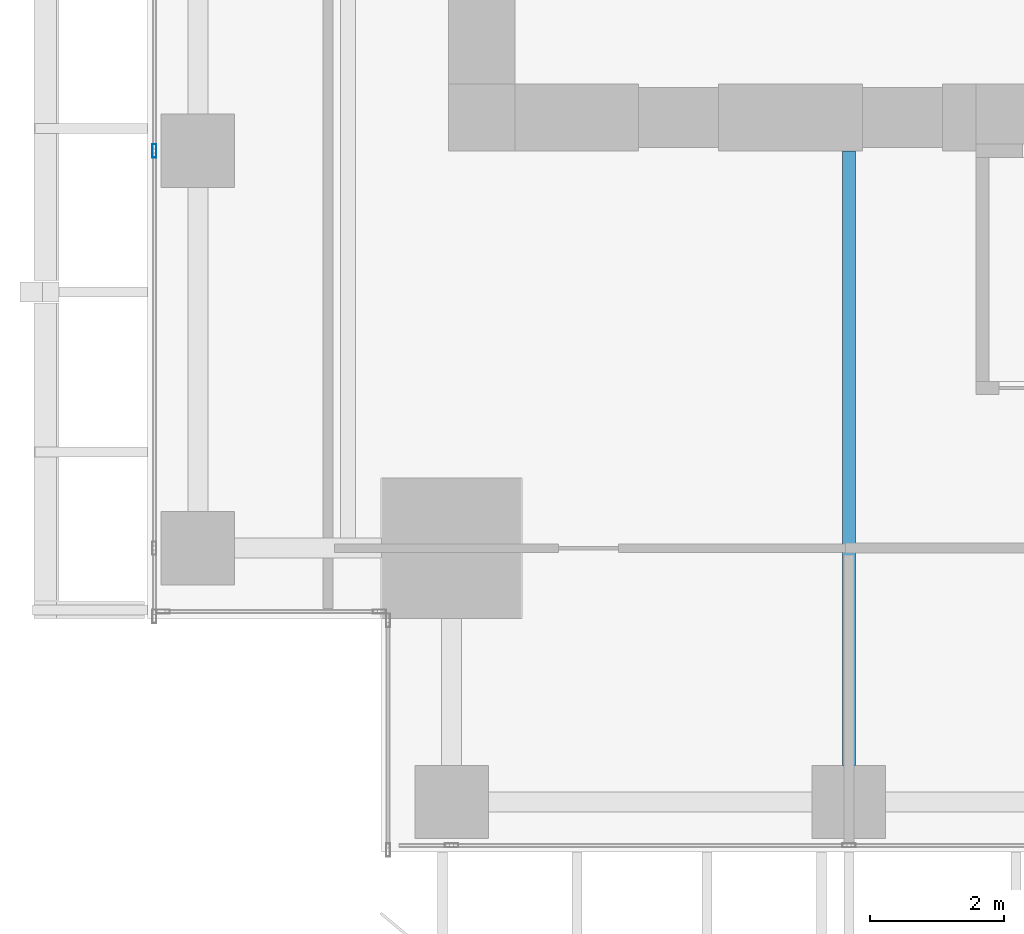
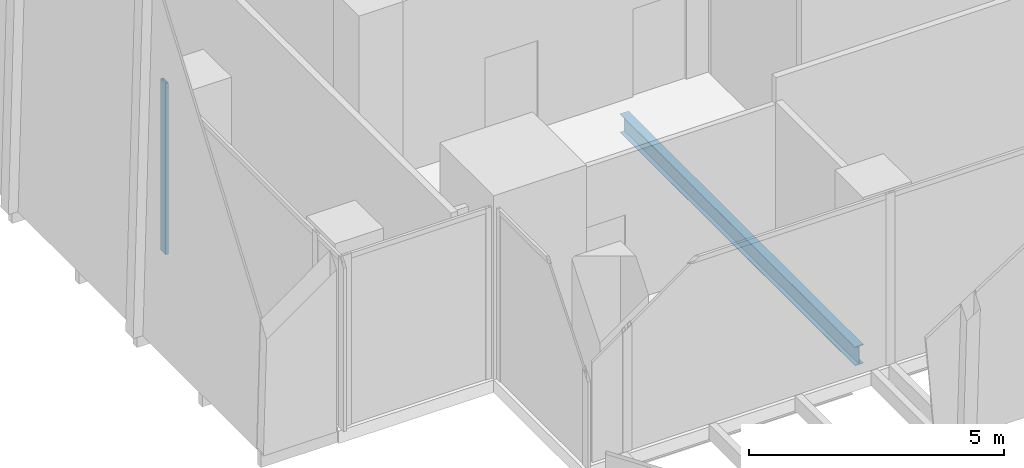
# One storey, part 4 of 36: 1 beam, 1 member, 1 element without a shape of its own.
"""IFC4 building model written with IfcOpenShell, lengths in metres."""

from ifc_helpers import new_model, si_unit, direction, frame, origin, origin_2d, place, context, subcontext, project, spatial, hollow_rectangle, i_section, extrude, source, transform, mapped, material, material_profile, profile_set, type_object, element, aggregate, save


model = new_model("IFC4")

# Units and contexts
model_context = context("Model", 3, precision=1e-05, world=origin(), true_north=direction((0.0, 1.0)))
body_context = subcontext(model_context, "Body", "Model", "MODEL_VIEW")
ifc_project = project(units=[si_unit("LENGTHUNIT", "METRE"), si_unit("AREAUNIT", "SQUARE_METRE"), si_unit("VOLUMEUNIT", "CUBIC_METRE"), si_unit("PLANEANGLEUNIT", "RADIAN"), si_unit("MASSUNIT", "GRAM", prefix="KILO")], contexts=[model_context])

# Site, building, storey
site_placement = place(None, origin())
site = spatial("IfcSite", under=ifc_project, at=site_placement, CompositionType="ELEMENT")
building_placement = place(site_placement, origin())
building = spatial("IfcBuilding", under=site, at=building_placement, Name="Khomas Fold Tower", CompositionType="ELEMENT")
storey_placement = place(building_placement, frame((0.0, 0.0, 141.10009765625)))
storey = spatial("IfcBuildingStorey", under=building, at=storey_placement, Name="L30", CompositionType="ELEMENT", Elevation=141.10009765625)

# Beam
ifc_material_1 = material(Name="Steel S355", Category="steel")
ifc_material_profile_1 = material_profile(ifc_material_1, i_section(OverallWidth=0.18994140625, OverallDepth=0.449951171875, WebThickness=0.009521484375, FlangeThickness=0.0146484375, at=origin_2d()), Name="IPE 450")
ifc_profile_set_1 = profile_set([ifc_material_profile_1], Name="Steel S355")
beam_type = type_object("IfcBeamType", Name="IPE 450 beam JB4", PredefinedType="BEAM", material=ifc_profile_set_1)
shared_shape_1 = source(origin(), body_context, "Body", "SweptSolid", [
    extrude(i_section(OverallWidth=0.18994140625, OverallDepth=0.449951171875, WebThickness=0.009521484375, FlangeThickness=0.0146484375, at=origin_2d()), origin(), (0.0, 0.0, 1.0), 9.199951171875),
])
beam_placement = place(storey_placement, frame((12.0, 2.800048828125, -0.525146484375), z_axis=(0.0, 1.0, 0.0), x_axis=(-1.0, 0.0, 0.0)))
element("IfcBeam", 1, at=beam_placement, inside=storey, type_object=beam_type, Name="JB4", PredefinedType="BEAM", context=body_context, shape_type="MappedRepresentation", body=[
    mapped(shared_shape_1, transform((0.0, 0.0, 0.0))),
])

# Curtain wall, member
ifc_material_2 = material(Name="Aluminium framed double glazing", Category="aluminium")
curtain_wall_type = type_object("IfcCurtainWallType", Name="SK-Unitised clear-glass wall, growing floors CW1", PredefinedType="NOTDEFINED", material=ifc_material_2)
curtain_wall_placement = place(storey_placement, origin())
curtain_wall = element("IfcCurtainWall", 2, at=curtain_wall_placement, inside=storey, type_object=curtain_wall_type, Name="CW1 run L30 09-0", PredefinedType="NOTDEFINED")
ifc_material_3 = material(Name="Aluminium", Category="aluminium")
ifc_material_profile_2 = material_profile(ifc_material_3, hollow_rectangle(XDim=0.06005859375, YDim=0.199951171875, WallThickness=0.00390625, at=origin_2d()), Name="SK-Unitised clear-glass wall, growing floors mullion CW1-M")
ifc_profile_set_2 = profile_set([ifc_material_profile_2], Name="Aluminium")
member_type = type_object("IfcMemberType", Name="SK-Unitised clear-glass wall, growing floors mullion CW1-M", PredefinedType="MULLION", material=ifc_profile_set_2)
shared_shape_2 = source(origin(), body_context, "Body", "SweptSolid", [
    extrude(hollow_rectangle(XDim=0.06005859375, YDim=0.199951171875, WallThickness=0.00390625, at=origin_2d()), origin(), (0.0, 0.0, 1.0), 4.099853515625),
])
member_placement = place(storey_placement, frame((1.60009765625, 12.0, 0.0), z_axis=(0.0, 0.0, 1.0), x_axis=(1.0, 0.0, 0.0)))
member = element("IfcMember", 3, at=member_placement, type_object=member_type, Name="CW1 mullion 7", PredefinedType="MULLION", context=body_context, shape_type="MappedRepresentation", body=[
    mapped(shared_shape_2, transform((0.0, 0.0, 0.0))),
])
aggregate(curtain_wall, [member])

save(model, "model.ifc")
